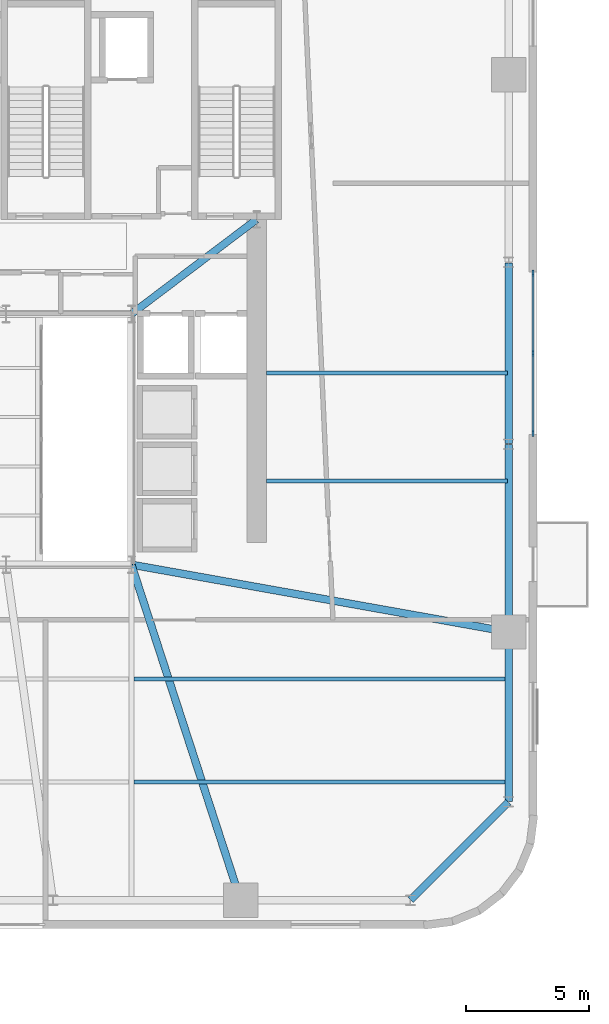
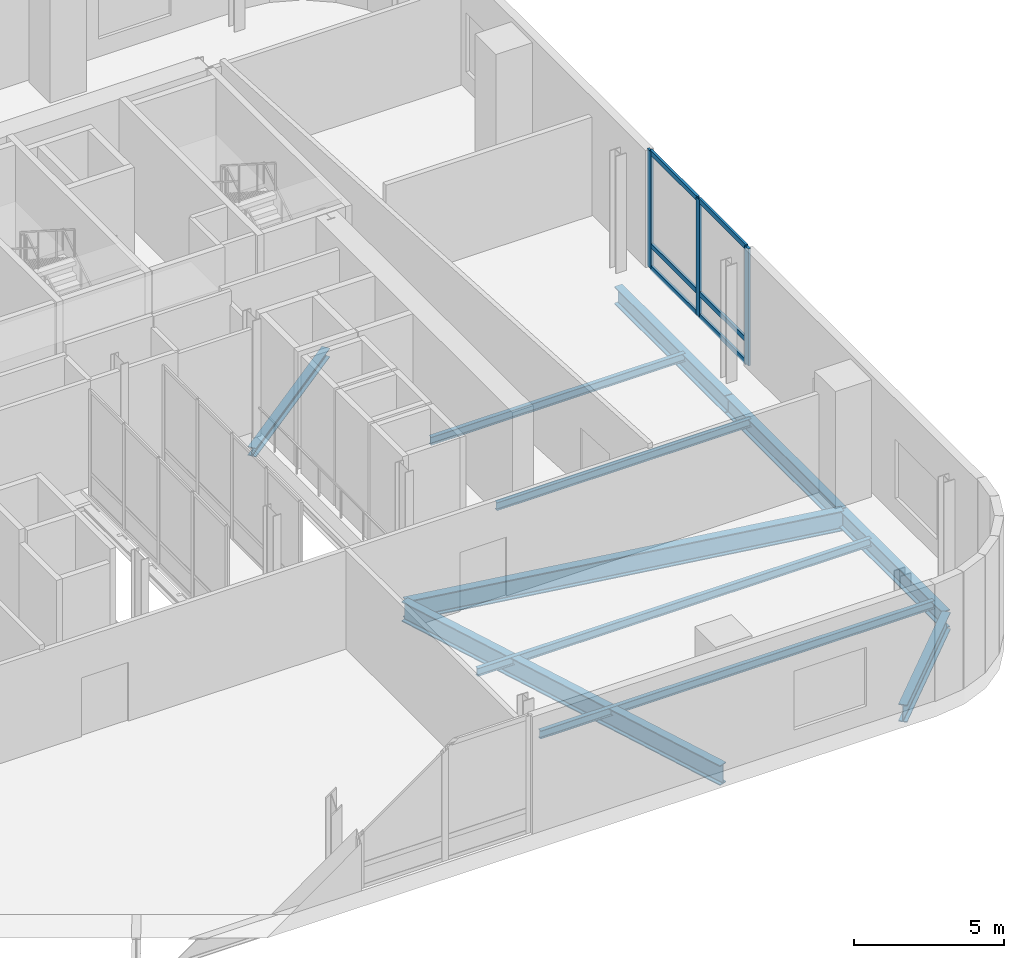
# One storey, part 5 of 14: 11 beams, 9 members, 1 element without a shape of its own.
"""IFC4 building model written with IfcOpenShell, lengths in metres."""

import ifcopenshell
import ifcopenshell.guid

model = None  # the IFC model being written
_history = None  # IfcOwnerHistory: only IFC2X3 demands one
_inside = {}  # id of a spatial element -> (the spatial element, [elements in it])
_under = {}  # id of a project, library or spatial element -> (it, [spatial elements below it])
_declared = {}  # id of a project -> (the project, [libraries it declares])
_typed = {}  # id of a type object -> (the type object, [elements of that type])
_made_of = {}  # id of a material, layer set ... -> (it, [elements and type objects made of it])


def new_model(schema):
    """Start an empty IFC model of exactly this schema.

    Asked for "IFC4X3", IfcOpenShell would pick the latest addendum, in which some entities
    have other attributes; the version numbers below select the first issue.
    IFC2X3 requires an IfcOwnerHistory on every rooted entity: one is made here for all.
    """
    global model, _history
    if schema == "IFC4X3":
        model = ifcopenshell.file(schema_version=(4, 3, 0, 0))
    else:
        model = ifcopenshell.file(schema=schema)
    _inside.clear()
    _under.clear()
    _declared.clear()
    _typed.clear()
    _made_of.clear()
    _history = None
    if model.schema == "IFC2X3":
        org = make("IfcOrganization", Name="unknown")
        user = make(
            "IfcPersonAndOrganization",
            ThePerson=make("IfcPerson", FamilyName="unknown"),
            TheOrganization=org,
        )
        app = make(
            "IfcApplication",
            ApplicationDeveloper=org,
            Version="unknown",
            ApplicationFullName="unknown",
            ApplicationIdentifier="unknown",
        )
        _history = make(
            "IfcOwnerHistory",
            OwningUser=user,
            OwningApplication=app,
            ChangeAction="ADDED",
            CreationDate=0,
        )
    return model


def make(cls, **values):
    """One entity of the class cls with the attributes given. An attribute that is None is left unset."""
    return model.create_entity(
        cls, **{name: value for name, value in values.items() if value is not None}
    )


def rooted(cls, **values):
    """An entity with a GlobalId (a new one), such as an element, a storey or a relation."""
    return make(cls, GlobalId=ifcopenshell.guid.new(), OwnerHistory=_history, **values)


def si_unit(unit_type, name, prefix=None):
    """IfcSIUnit, for example si_unit("LENGTHUNIT", "METRE", prefix="MILLI")."""
    return make("IfcSIUnit", UnitType=unit_type, Prefix=prefix, Name=name)


def assignment(units):
    """IfcUnitAssignment: the units of a project."""
    return None if units is None else make("IfcUnitAssignment", Units=units)


def point(xyz):
    """IfcCartesianPoint."""
    return None if xyz is None else make("IfcCartesianPoint", Coordinates=xyz)


def direction(xyz):
    """IfcDirection."""
    return None if xyz is None else make("IfcDirection", DirectionRatios=xyz)


def frame(location, z_axis=None, x_axis=None):
    """IfcAxis2Placement3D, a coordinate frame: its origin and axes. An axis left out is left unset."""
    return make(
        "IfcAxis2Placement3D",
        Location=point(location),
        Axis=direction(z_axis),
        RefDirection=direction(x_axis),
    )


def frame_2d(location, x_axis=None):
    """IfcAxis2Placement2D, a coordinate frame in the plane: its origin and x axis."""
    return make(
        "IfcAxis2Placement2D", Location=point(location), RefDirection=direction(x_axis)
    )


def origin():
    """The frame at (0, 0, 0) with its axes left unset."""
    return frame((0.0, 0.0, 0.0))


def origin_2d():
    """The frame at (0, 0) in the plane with its x axis left unset."""
    return frame_2d((0.0, 0.0))


def place(relative_to, where):
    """IfcLocalPlacement: puts the frame where relative to a parent placement (None: the world)."""
    return make(
        "IfcLocalPlacement", PlacementRelTo=relative_to, RelativePlacement=where
    )


def context(
    kind, dimensions, precision=None, world=None, true_north=None, identifier=None
):
    """IfcGeometricRepresentationContext, for example the 3D "Model" context."""
    return make(
        "IfcGeometricRepresentationContext",
        ContextIdentifier=identifier,
        ContextType=kind,
        CoordinateSpaceDimension=dimensions,
        Precision=precision,
        WorldCoordinateSystem=world,
        TrueNorth=true_north,
    )


def subcontext(parent, identifier, kind, view, scale=None):
    """IfcGeometricRepresentationSubContext, for example "Body" below "Model"."""
    return make(
        "IfcGeometricRepresentationSubContext",
        ContextIdentifier=identifier,
        ContextType=kind,
        ParentContext=parent,
        TargetScale=scale,
        TargetView=view,
    )


def project(units=None, contexts=None):
    """IfcProject with its units and contexts."""
    return rooted(
        "IfcProject",
        Name="project",
        RepresentationContexts=contexts,
        UnitsInContext=assignment(units),
    )


def spatial(cls, under=None, at=None, **own):
    """A site, building, storey or space (cls), placed at a placement, below another one or the project."""
    s = rooted(cls, ObjectPlacement=at, **own)
    if under is not None:
        _under.setdefault(under.id(), (under, []))[1].append(s)
    return s


def profile(cls, at=None, kind="AREA", **sizes):
    """A parametric profile (cls). Its sizes go by their IFC names, for example OverallWidth=200.0."""
    return make(cls, ProfileType=kind, Position=at, **sizes)


def rectangle(**sizes):
    """IfcRectangleProfileDef."""
    return profile("IfcRectangleProfileDef", **sizes)


def i_section(**sizes):
    """IfcIShapeProfileDef."""
    return profile("IfcIShapeProfileDef", **sizes)


def extrude(swept, where, along, depth):
    """IfcExtrudedAreaSolid: the profile swept, set in the frame where, extruded along a direction by depth."""
    return make(
        "IfcExtrudedAreaSolid",
        SweptArea=swept,
        Position=where,
        ExtrudedDirection=direction(along),
        Depth=depth,
    )


def shape(context_of_items, identifier, shape_type, items):
    """IfcShapeRepresentation: the items that make up one representation, for example the "Body"."""
    return make(
        "IfcShapeRepresentation",
        ContextOfItems=context_of_items,
        RepresentationIdentifier=identifier,
        RepresentationType=shape_type,
        Items=items,
    )


def source(mapping_origin, context_of_items, identifier, shape_type, items):
    """IfcRepresentationMap: a shape defined once, which mapped items show again and again."""
    return make(
        "IfcRepresentationMap",
        MappingOrigin=mapping_origin,
        MappedRepresentation=shape(context_of_items, identifier, shape_type, items),
    )


def transform(
    local_origin,
    x_axis=None,
    y_axis=None,
    z_axis=None,
    scale=None,
    scale2=None,
    scale3=None,
    uniform=True,
):
    """IfcCartesianTransformationOperator3D, or its non-uniform kind. x_axis, y_axis, z_axis: its Axis1, 2, 3."""
    if uniform:
        return make(
            "IfcCartesianTransformationOperator3D",
            Axis1=direction(x_axis),
            Axis2=direction(y_axis),
            LocalOrigin=point(local_origin),
            Scale=scale,
            Axis3=direction(z_axis),
        )
    return make(
        "IfcCartesianTransformationOperator3DnonUniform",
        Axis1=direction(x_axis),
        Axis2=direction(y_axis),
        LocalOrigin=point(local_origin),
        Scale=scale,
        Axis3=direction(z_axis),
        Scale2=scale2,
        Scale3=scale3,
    )


def mapped(mapping_source, mapping_target):
    """IfcMappedItem: shows the shape of a source again, moved by a transform."""
    return make(
        "IfcMappedItem", MappingSource=mapping_source, MappingTarget=mapping_target
    )


def material(Name=None, Category=None):
    """IfcMaterial."""
    return make("IfcMaterial", Name=Name, Category=Category)


def material_profile(
    of_material, cross_section, Name=None, Category=None, Priority=None
):
    """IfcMaterialProfile: a cross section and its material."""
    return make(
        "IfcMaterialProfile",
        Name=Name,
        Material=of_material,
        Profile=cross_section,
        Priority=Priority,
        Category=Category,
    )


def profile_set(profiles, Name=None, composite=None):
    """IfcMaterialProfileSet."""
    return make(
        "IfcMaterialProfileSet",
        Name=Name,
        MaterialProfiles=profiles,
        CompositeProfile=composite,
    )


def made_of(thing, what):
    """Note that an element or type object is made of a material, layer set ...; save() writes the relation."""
    if what is not None:
        _made_of.setdefault(what.id(), (what, []))[1].append(thing)
    return thing


def type_object(cls, material=None, **own):
    """A type object (cls), such as IfcWallType, which elements share."""
    return made_of(rooted(cls, **own), material)


def element(
    cls,
    number,
    at=None,
    inside=None,
    cuts=None,
    type_object=None,
    material=None,
    context=None,
    identifier="Body",
    shape_type=None,
    held_by="IfcProductDefinitionShape",
    body=None,
    shapes=None,
    **own,
):
    """One element of the class cls, such as IfcWall. Its Tag is "e" and its number.

    at: its placement. inside: the storey or other place that contains it. cuts: it is an
    opening in that element (IfcRelVoidsElement). A single representation is given by context,
    identifier, shape_type and body (its items); several are given by shapes. held_by: the class
    of the entity that holds the representations. save() writes the other relations.
    """
    e = rooted(cls, Tag="e%d" % number, ObjectPlacement=at, **own)
    if body is not None:
        shapes = [shape(context, identifier, shape_type, body)]
    if shapes is not None:
        e.Representation = make(held_by, Representations=shapes)
    if inside is not None:
        _inside.setdefault(inside.id(), (inside, []))[1].append(e)
    if cuts is not None:
        rooted(
            "IfcRelVoidsElement", RelatingBuildingElement=cuts, RelatedOpeningElement=e
        )
    if type_object is not None:
        _typed.setdefault(type_object.id(), (type_object, []))[1].append(e)
    return made_of(e, material)


def aggregate(whole, parts):
    """IfcRelAggregates: a whole, such as a stair, and the parts it consists of."""
    return rooted("IfcRelAggregates", RelatingObject=whole, RelatedObjects=parts)


def save(model, path):
    """Write the relations noted so far, then the file.

    IfcRelAggregates (storeys below a building ...), IfcRelContainedInSpatialStructure (elements
    in a storey), IfcRelDefinesByType, IfcRelAssociatesMaterial and IfcRelDeclares: one each for
    every whole, place, type object, material and project.
    """
    for whole, parts in _under.values():
        aggregate(whole, parts)
    for where, things in _inside.values():
        rooted(
            "IfcRelContainedInSpatialStructure",
            RelatedElements=things,
            RelatingStructure=where,
        )
    for kind, things in _typed.values():
        rooted("IfcRelDefinesByType", RelatedObjects=things, RelatingType=kind)
    for what, things in _made_of.values():
        rooted("IfcRelAssociatesMaterial", RelatedObjects=things, RelatingMaterial=what)
    for by, libraries in _declared.values():
        rooted("IfcRelDeclares", RelatingContext=by, RelatedDefinitions=libraries)
    model.write(path)


model = new_model("IFC4")

# Units and contexts
model_context = context("Model", 3, precision=1e-05, world=origin(), true_north=direction((0.0, 1.0)))
body_context = subcontext(model_context, "Body", "Model", "MODEL_VIEW")
ifc_project = project(units=[si_unit("LENGTHUNIT", "METRE"), si_unit("AREAUNIT", "SQUARE_METRE"), si_unit("VOLUMEUNIT", "CUBIC_METRE"), si_unit("PLANEANGLEUNIT", "RADIAN"), si_unit("MASSUNIT", "GRAM", prefix="KILO")], contexts=[model_context])

# Site, building, storey
site_placement = place(None, origin())
site = spatial("IfcSite", under=ifc_project, at=site_placement, CompositionType="ELEMENT")
building_placement = place(site_placement, origin())
building = spatial("IfcBuilding", under=site, at=building_placement, Name="Vardaveli Station Tower", CompositionType="ELEMENT")
storey_placement = place(building_placement, frame((0.0, 0.0, 172.199951171875)))
storey = spatial("IfcBuildingStorey", under=building, at=storey_placement, Name="L44", CompositionType="ELEMENT", Elevation=172.199951171875)

# Beams
ifc_material_1 = material(Name="Structural steel S355J2", Category="steel")
ifc_material_profile_1 = material_profile(ifc_material_1, i_section(OverallWidth=0.300048828125, OverallDepth=0.360107421875, WebThickness=0.012451171875, FlangeThickness=0.0224609375, FilletRadius=0.027099609375, at=origin_2d()), Name="HEB 360")
ifc_profile_set_1 = profile_set([ifc_material_profile_1], Name="Structural steel S355J2")
beam_type_1 = type_object("IfcBeamType", Name="BM-HEB360", PredefinedType="BEAM", material=ifc_profile_set_1)
shared_shape_1 = source(origin(), body_context, "Body", "SweptSolid", [
    extrude(i_section(OverallWidth=0.300048828125, OverallDepth=0.360107421875, WebThickness=0.012451171875, FlangeThickness=0.0224609375, FilletRadius=0.027099609375, at=origin_2d()), origin(), (0.0, 0.0, 1.0), 6.35009765625),
])
beam_1_placement = place(storey_placement, frame((41.416015625, 26.81201171875, -0.829833984375), z_axis=(0.798118337722, 0.602500721154, 0.0), x_axis=(-0.602500721154, 0.798118337722, 0.0)))
element("IfcBeam", 1, at=beam_1_placement, inside=storey, type_object=beam_type_1, Name="CBM-L44-02", PredefinedType="BEAM", context=body_context, shape_type="MappedRepresentation", body=[
    mapped(shared_shape_1, transform((0.0, 0.0, 0.0), scale=1.0)),
])
ifc_material_2 = material(Name="Structural steel S460M", Category="steel")
ifc_material_profile_2 = material_profile(ifc_material_2, i_section(OverallWidth=0.303955078125, OverallDepth=0.716064453125, WebThickness=0.02099609375, FlangeThickness=0.0400390625, FilletRadius=0.027099609375, at=origin_2d()), Name="HEM 700")
ifc_profile_set_2 = profile_set([ifc_material_profile_2], Name="Structural steel S460M")
beam_type_2 = type_object("IfcBeamType", Name="BM-HEM700", PredefinedType="BEAM", material=ifc_profile_set_2)
shared_shape_2 = source(origin(), body_context, "Body", "SweptSolid", [
    extrude(i_section(OverallWidth=0.303955078125, OverallDepth=0.716064453125, WebThickness=0.02099609375, FlangeThickness=0.0400390625, FilletRadius=0.027099609375, at=origin_2d()), origin(), (0.0, 0.0, 1.0), 7.60009765625),
])
beam_2_placement = place(storey_placement, frame((56.75, 13.8798828125, -1.008056640625), z_axis=(0.0, 1.0, 0.0), x_axis=(-1.0, 0.0, 0.0)))
element("IfcBeam", 2, at=beam_2_placement, inside=storey, type_object=beam_type_2, Name="RBM-L44-07", PredefinedType="BEAM", context=body_context, shape_type="MappedRepresentation", body=[
    mapped(shared_shape_2, transform((0.0, 0.0, 0.0), scale=1.0)),
])
shared_shape_3 = source(origin(), body_context, "Body", "SweptSolid", [
    extrude(i_section(OverallWidth=0.303955078125, OverallDepth=0.716064453125, WebThickness=0.02099609375, FlangeThickness=0.0400390625, FilletRadius=0.027099609375, at=origin_2d()), origin(), (0.0, 0.0, 1.0), 7.35986328125),
])
beam_3_placement = place(storey_placement, frame((56.75, 21.52001953125, -1.008056640625), z_axis=(0.0, 1.0, 0.0), x_axis=(-1.0, 0.0, 0.0)))
element("IfcBeam", 3, at=beam_3_placement, inside=storey, type_object=beam_type_2, Name="RBM-L44-08", PredefinedType="BEAM", context=body_context, shape_type="MappedRepresentation", body=[
    mapped(shared_shape_3, transform((0.0, 0.0, 0.0), scale=1.0)),
])
shared_shape_4 = source(origin(), body_context, "Body", "SweptSolid", [
    extrude(i_section(OverallWidth=0.303955078125, OverallDepth=0.716064453125, WebThickness=0.02099609375, FlangeThickness=0.0400390625, FilletRadius=0.027099609375, at=origin_2d()), origin(), (0.0, 0.0, 1.0), 5.61669921875),
])
beam_4_placement = place(storey_placement, frame((52.76416015625, 2.964111328125, -1.008056640625), z_axis=(0.707106781187, 0.707106781187, 0.0), x_axis=(-0.707106781187, 0.707106781187, 0.0)))
element("IfcBeam", 4, at=beam_4_placement, inside=storey, type_object=beam_type_2, Name="RBM-L44-05", PredefinedType="BEAM", context=body_context, shape_type="MappedRepresentation", body=[
    mapped(shared_shape_4, transform((0.0, 0.0, 0.0), scale=1.0)),
])
shared_shape_5 = source(origin(), body_context, "Body", "SweptSolid", [
    extrude(i_section(OverallWidth=0.303955078125, OverallDepth=0.716064453125, WebThickness=0.02099609375, FlangeThickness=0.0400390625, FilletRadius=0.027099609375, at=origin_2d()), origin(), (0.0, 0.0, 1.0), 6.8701171875),
])
beam_5_placement = place(storey_placement, frame((56.75, 6.969970703125, -1.008056640625), z_axis=(0.0, 1.0, 0.0), x_axis=(-1.0, 0.0, 0.0)))
element("IfcBeam", 5, at=beam_5_placement, inside=storey, type_object=beam_type_2, Name="RBM-L44-06", PredefinedType="BEAM", context=body_context, shape_type="MappedRepresentation", body=[
    mapped(shared_shape_5, transform((0.0, 0.0, 0.0), scale=1.0)),
])
ifc_material_profile_3 = material_profile(ifc_material_2, i_section(OverallWidth=0.305908203125, OverallDepth=0.81396484375, WebThickness=0.02099609375, FlangeThickness=0.0400390625, FilletRadius=0.027099609375, at=origin_2d()), Name="HEM 800")
ifc_profile_set_3 = profile_set([ifc_material_profile_3], Name="Structural steel S460M")
beam_type_3 = type_object("IfcBeamType", Name="BM-HEM800", PredefinedType="BEAM", material=ifc_profile_set_3)
shared_shape_6 = source(origin(), body_context, "Body", "SweptSolid", [
    extrude(i_section(OverallWidth=0.305908203125, OverallDepth=0.81396484375, WebThickness=0.02099609375, FlangeThickness=0.0400390625, FilletRadius=0.027099609375, at=origin_2d()), origin(), (0.0, 0.0, 1.0), 14.31396484375),
])
beam_6_placement = place(storey_placement, frame((45.833740234375, 2.968994140625, -1.056884765625), z_axis=(-0.309311678023, 0.950960717295, 0.0), x_axis=(-0.950960717295, -0.309311678023, 0.0)))
element("IfcBeam", 6, at=beam_6_placement, inside=storey, type_object=beam_type_3, Name="GBM-L44-04", PredefinedType="BEAM", context=body_context, shape_type="MappedRepresentation", body=[
    mapped(shared_shape_6, transform((0.0, 0.0, 0.0), scale=1.0)),
])
shared_shape_7 = source(origin(), body_context, "Body", "SweptSolid", [
    extrude(i_section(OverallWidth=0.305908203125, OverallDepth=0.81396484375, WebThickness=0.02099609375, FlangeThickness=0.0400390625, FilletRadius=0.027099609375, at=origin_2d()), origin(), (0.0, 0.0, 1.0), 15.552490234375),
])
beam_7_placement = place(storey_placement, frame((56.730224609375, 13.863525390625, -1.056884765625), z_axis=(-0.984439991578, 0.1757210943, 0.0), x_axis=(-0.1757210943, -0.984439991578, 0.0)))
element("IfcBeam", 7, at=beam_7_placement, inside=storey, type_object=beam_type_3, Name="GBM-L44-05", PredefinedType="BEAM", context=body_context, shape_type="MappedRepresentation", body=[
    mapped(shared_shape_7, transform((0.0, 0.0, 0.0), scale=1.0)),
])
ifc_material_profile_4 = material_profile(ifc_material_1, i_section(OverallWidth=0.159912109375, OverallDepth=0.330078125, WebThickness=0.007568359375, FlangeThickness=0.011474609375, FilletRadius=0.01806640625, at=origin_2d()), Name="IPE 330")
ifc_profile_set_4 = profile_set([ifc_material_profile_4], Name="Structural steel S355J2")
beam_type_4 = type_object("IfcBeamType", Name="BM-IPE330", PredefinedType="JOIST", material=ifc_profile_set_4)
shared_shape_8 = source(origin(), body_context, "Body", "SweptSolid", [
    extrude(i_section(OverallWidth=0.159912109375, OverallDepth=0.330078125, WebThickness=0.007568359375, FlangeThickness=0.011474609375, FilletRadius=0.01806640625, at=origin_2d()), origin(), (0.0, 0.0, 1.0), 15.197998046875),
])
for number, where, z_axis, x_axis, name in (
    (8, (41.511962890625, 7.75, -0.81494140625), (1.0, 0.0, 0.0), (0.0, 1.0, 0.0), "SJ-L44-S02"),
    (9, (41.511962890625, 11.949951171875, -0.81494140625), (1.0, 0.0, 0.0), (0.0, 1.0, 0.0), "SJ-L44-S04"),
):
    element("IfcBeam", number, at=place(storey_placement, frame(where, z_axis=z_axis, x_axis=x_axis)), inside=storey, type_object=beam_type_4, Name=name, PredefinedType="JOIST", context=body_context, shape_type="MappedRepresentation", body=[
        mapped(shared_shape_8, transform((0.0, 0.0, 0.0), scale=1.0)),
    ])
shared_shape_9 = source(origin(), body_context, "Body", "SweptSolid", [
    extrude(i_section(OverallWidth=0.159912109375, OverallDepth=0.330078125, WebThickness=0.007568359375, FlangeThickness=0.011474609375, FilletRadius=0.01806640625, at=origin_2d()), origin(), (0.0, 0.0, 1.0), 9.804931640625),
])
for number, where, z_axis, x_axis, name in (
    (10, (46.905029296875, 20.0, -0.81494140625), (1.0, 0.0, 0.0), (0.0, 1.0, 0.0), "SJ-L44-E07"),
    (11, (46.905029296875, 24.39990234375, -0.81494140625), (1.0, 0.0, 0.0), (0.0, 1.0, 0.0), "SJ-L44-E08"),
):
    element("IfcBeam", number, at=place(storey_placement, frame(where, z_axis=z_axis, x_axis=x_axis)), inside=storey, type_object=beam_type_4, Name=name, PredefinedType="JOIST", context=body_context, shape_type="MappedRepresentation", body=[
        mapped(shared_shape_9, transform((0.0, 0.0, 0.0), scale=1.0)),
    ])

# Curtain wall, members
ifc_material_3 = material(Name="Travertine stone and solar-control glass", Category="masonry")
curtain_wall_type = type_object("IfcCurtainWallType", Name="CW-SYS-3", PredefinedType="NOTDEFINED", material=ifc_material_3)
curtain_wall_placement = place(storey_placement, origin())
curtain_wall = element("IfcCurtainWall", 12, at=curtain_wall_placement, inside=storey, type_object=curtain_wall_type, Name="CW-L44-E", PredefinedType="NOTDEFINED")
ifc_material_4 = material(Name="Anodised aluminium alloy 6063-T6", Category="aluminium")
ifc_material_profile_5 = material_profile(ifc_material_4, rectangle(XDim=0.090087890625, YDim=0.199951171875, at=origin_2d()), Name="CWT 90x200")
ifc_profile_set_5 = profile_set([ifc_material_profile_5], Name="Anodised aluminium alloy 6063-T6")
member_type_1 = type_object("IfcMemberType", Name="CW-SYS-3-TRAN", PredefinedType="NOTDEFINED", material=ifc_profile_set_5)
shared_shape_10 = source(origin(), body_context, "Body", "SweptSolid", [
    extrude(rectangle(XDim=0.090087890625, YDim=0.199951171875, at=origin_2d()), origin(), (0.0, 0.0, 1.0), 3.1650390625),
])
member_1_placement = place(storey_placement, frame((57.739990234375, 21.989990234375, 0.045166015625), z_axis=(0.0, 1.0, 0.0), x_axis=(-1.0, 0.0, 0.0)))
member_1 = element("IfcMember", 13, at=member_1_placement, type_object=member_type_1, Name="CW-3 transom 1.1", ObjectType="TRANSOM", PredefinedType="USERDEFINED", context=body_context, shape_type="MappedRepresentation", body=[
    mapped(shared_shape_10, transform((0.0, 0.0, 0.0), scale=1.0)),
])
member_2_placement = place(storey_placement, frame((57.739990234375, 21.989990234375, 0.949951171875), z_axis=(0.0, 1.0, 0.0), x_axis=(-1.0, 0.0, 0.0)))
member_2 = element("IfcMember", 14, at=member_2_placement, type_object=member_type_1, Name="CW-3 transom 1.2", ObjectType="TRANSOM", PredefinedType="USERDEFINED", context=body_context, shape_type="MappedRepresentation", body=[
    mapped(shared_shape_10, transform((0.0, 0.0, 0.0), scale=1.0)),
])
member_3_placement = place(storey_placement, frame((57.739990234375, 21.989990234375, 4.735107421875), z_axis=(0.0, 1.0, 0.0), x_axis=(-1.0, 0.0, 0.0)))
member_3 = element("IfcMember", 15, at=member_3_placement, type_object=member_type_1, Name="CW-3 transom 1.3", ObjectType="TRANSOM", PredefinedType="USERDEFINED", context=body_context, shape_type="MappedRepresentation", body=[
    mapped(shared_shape_10, transform((0.0, 0.0, 0.0), scale=1.0)),
])
shared_shape_11 = source(origin(), body_context, "Body", "SweptSolid", [
    extrude(rectangle(XDim=0.090087890625, YDim=0.199951171875, at=origin_2d()), origin(), (0.0, 0.0, 1.0), 3.164794921875),
])
member_4_placement = place(storey_placement, frame((57.739990234375, 25.2451171875, 0.045166015625), z_axis=(0.0, 1.0, 0.0), x_axis=(-1.0, 0.0, 0.0)))
member_4 = element("IfcMember", 16, at=member_4_placement, type_object=member_type_1, Name="CW-3 transom 2.1", ObjectType="TRANSOM", PredefinedType="USERDEFINED", context=body_context, shape_type="MappedRepresentation", body=[
    mapped(shared_shape_11, transform((0.0, 0.0, 0.0), scale=1.0)),
])
member_5_placement = place(storey_placement, frame((57.739990234375, 25.2451171875, 0.949951171875), z_axis=(0.0, 1.0, 0.0), x_axis=(-1.0, 0.0, 0.0)))
member_5 = element("IfcMember", 17, at=member_5_placement, type_object=member_type_1, Name="CW-3 transom 2.2", ObjectType="TRANSOM", PredefinedType="USERDEFINED", context=body_context, shape_type="MappedRepresentation", body=[
    mapped(shared_shape_11, transform((0.0, 0.0, 0.0), scale=1.0)),
])
member_6_placement = place(storey_placement, frame((57.739990234375, 25.2451171875, 4.735107421875), z_axis=(0.0, 1.0, 0.0), x_axis=(-1.0, 0.0, 0.0)))
member_6 = element("IfcMember", 18, at=member_6_placement, type_object=member_type_1, Name="CW-3 transom 2.3", ObjectType="TRANSOM", PredefinedType="USERDEFINED", context=body_context, shape_type="MappedRepresentation", body=[
    mapped(shared_shape_11, transform((0.0, 0.0, 0.0), scale=1.0)),
])
ifc_material_profile_6 = material_profile(ifc_material_4, rectangle(XDim=0.090087890625, YDim=0.25, at=origin_2d()), Name="CWM 90x250")
ifc_profile_set_6 = profile_set([ifc_material_profile_6], Name="Anodised aluminium alloy 6063-T6")
member_type_2 = type_object("IfcMemberType", Name="CW-SYS-3-MULL", PredefinedType="MULLION", material=ifc_profile_set_6)
shared_shape_12 = source(origin(), body_context, "Body", "SweptSolid", [
    extrude(rectangle(XDim=0.090087890625, YDim=0.25, at=origin_2d()), origin(), (0.0, 0.0, 1.0), 4.780029296875),
])
member_7_placement = place(storey_placement, frame((57.739990234375, 21.945068359375, 0.0), z_axis=(0.0, 0.0, 1.0), x_axis=(-1.0, 0.0, 0.0)))
member_7 = element("IfcMember", 19, at=member_7_placement, type_object=member_type_2, Name="CW-3 mullion 1", PredefinedType="MULLION", context=body_context, shape_type="MappedRepresentation", body=[
    mapped(shared_shape_12, transform((0.0, 0.0, 0.0), scale=1.0)),
])
member_8_placement = place(storey_placement, frame((57.739990234375, 25.199951171875, 0.0), z_axis=(0.0, 0.0, 1.0), x_axis=(-1.0, 0.0, 0.0)))
member_8 = element("IfcMember", 20, at=member_8_placement, type_object=member_type_2, Name="CW-3 mullion 2", PredefinedType="MULLION", context=body_context, shape_type="MappedRepresentation", body=[
    mapped(shared_shape_12, transform((0.0, 0.0, 0.0), scale=1.0)),
])
member_9_placement = place(storey_placement, frame((57.739990234375, 28.455078125, 0.0), z_axis=(0.0, 0.0, 1.0), x_axis=(-1.0, 0.0, 0.0)))
member_9 = element("IfcMember", 21, at=member_9_placement, type_object=member_type_2, Name="CW-3 mullion 3", PredefinedType="MULLION", context=body_context, shape_type="MappedRepresentation", body=[
    mapped(shared_shape_12, transform((0.0, 0.0, 0.0), scale=1.0)),
])
aggregate(curtain_wall, [member_7, member_8, member_9, member_1, member_2, member_3, member_4, member_5, member_6])

save(model, "model.ifc")
